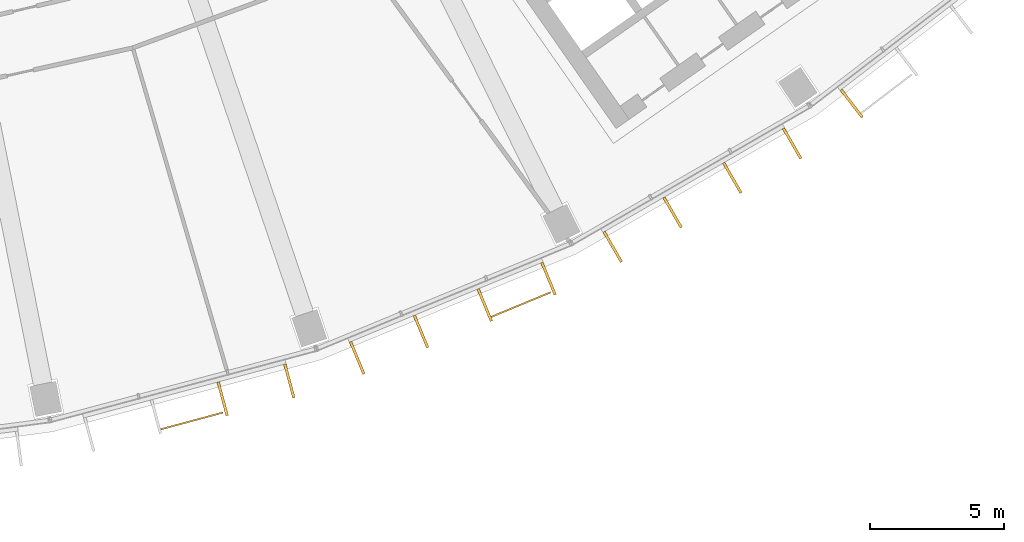
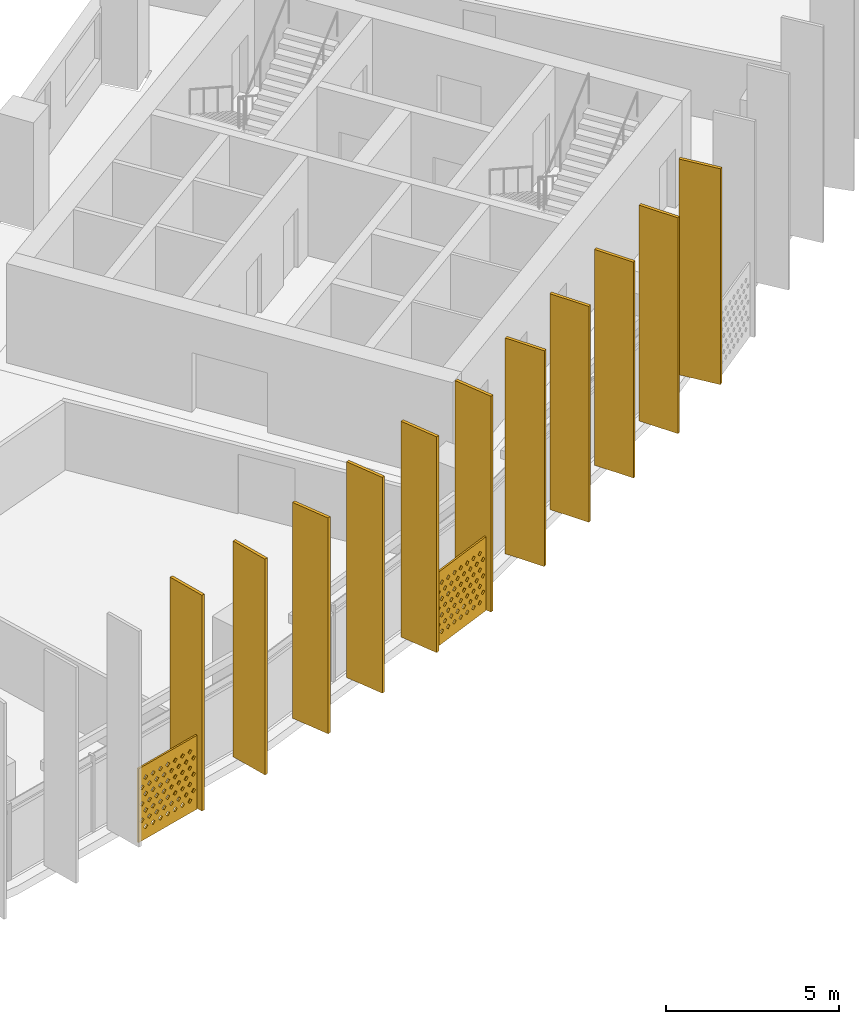
# One storey, part 26 of 30: 13 shading devices.
"""IFC4 building model written with IfcOpenShell, lengths in metres."""

from ifc_helpers import new_model, si_unit, direction, frame, origin, origin_2d, place, context, subcontext, project, spatial, polyline, rectangle, outline, extrude, material, material_profile, profile_set, type_object, element, save


model = new_model("IFC4")

# Units and contexts
model_context = context("Model", 3, precision=1e-05, world=origin(), true_north=direction((0.0, 1.0)))
body_context = subcontext(model_context, "Body", "Model", "MODEL_VIEW")
ifc_project = project(units=[si_unit("LENGTHUNIT", "METRE"), si_unit("AREAUNIT", "SQUARE_METRE"), si_unit("VOLUMEUNIT", "CUBIC_METRE"), si_unit("PLANEANGLEUNIT", "RADIAN"), si_unit("MASSUNIT", "GRAM", prefix="KILO")], contexts=[model_context])

# Site, building, storey
site_placement = place(None, origin())
site = spatial("IfcSite", under=ifc_project, at=site_placement, CompositionType="ELEMENT")
building_placement = place(site_placement, origin())
building = spatial("IfcBuilding", under=site, at=building_placement, Name="Qamariyya Broadcast Tower", CompositionType="ELEMENT")
storey_placement = place(building_placement, frame((0.0, 0.0, 203.699951171875)))
storey = spatial("IfcBuildingStorey", under=building, at=storey_placement, Name="L48", CompositionType="ELEMENT", Elevation=203.699951171875)

# Shading devices
ifc_material_1 = material(Name="Perforated glazed terracotta", Category="masonry")
ifc_material_profile_1 = material_profile(ifc_material_1, outline(polyline([(-1.199951171875, -1.300048828125), (1.199951171875, -1.300048828125), (1.199951171875, 1.300048828125), (-1.199951171875, 1.300048828125), (-1.199951171875, -1.300048828125)]), holes=[polyline([(-0.81494140625, -0.86669921875), (-0.89990234375, -0.78173828125), (-0.985107421875, -0.86669921875), (-0.89990234375, -0.95166015625), (-0.81494140625, -0.86669921875)]), polyline([(-0.514892578125, -0.86669921875), (-0.60009765625, -0.78173828125), (-0.68505859375, -0.86669921875), (-0.60009765625, -0.95166015625), (-0.514892578125, -0.86669921875)]), polyline([(-0.215087890625, -0.86669921875), (-0.300048828125, -0.78173828125), (-0.385009765625, -0.86669921875), (-0.300048828125, -0.95166015625), (-0.215087890625, -0.86669921875)]), polyline([(0.0849609375, -0.86669921875), (0.0, -0.78173828125), (-0.0849609375, -0.86669921875), (0.0, -0.95166015625), (0.0849609375, -0.86669921875)]), polyline([(0.385009765625, -0.86669921875), (0.300048828125, -0.78173828125), (0.215087890625, -0.86669921875), (0.300048828125, -0.95166015625), (0.385009765625, -0.86669921875)]), polyline([(0.68505859375, -0.86669921875), (0.60009765625, -0.78173828125), (0.514892578125, -0.86669921875), (0.60009765625, -0.95166015625), (0.68505859375, -0.86669921875)]), polyline([(0.985107421875, -0.86669921875), (0.89990234375, -0.78173828125), (0.81494140625, -0.86669921875), (0.89990234375, -0.95166015625), (0.985107421875, -0.86669921875)]), polyline([(-0.965087890625, -0.577880859375), (-1.050048828125, -0.49267578125), (-1.135009765625, -0.577880859375), (-1.050048828125, -0.662841796875), (-0.965087890625, -0.577880859375)]), polyline([(-0.6650390625, -0.577880859375), (-0.75, -0.49267578125), (-0.8349609375, -0.577880859375), (-0.75, -0.662841796875), (-0.6650390625, -0.577880859375)]), polyline([(-0.364990234375, -0.577880859375), (-0.449951171875, -0.49267578125), (-0.534912109375, -0.577880859375), (-0.449951171875, -0.662841796875), (-0.364990234375, -0.577880859375)]), polyline([(-0.06494140625, -0.577880859375), (-0.14990234375, -0.49267578125), (-0.235107421875, -0.577880859375), (-0.14990234375, -0.662841796875), (-0.06494140625, -0.577880859375)]), polyline([(0.235107421875, -0.577880859375), (0.14990234375, -0.49267578125), (0.06494140625, -0.577880859375), (0.14990234375, -0.662841796875), (0.235107421875, -0.577880859375)]), polyline([(0.534912109375, -0.577880859375), (0.449951171875, -0.49267578125), (0.364990234375, -0.577880859375), (0.449951171875, -0.662841796875), (0.534912109375, -0.577880859375)]), polyline([(0.8349609375, -0.577880859375), (0.75, -0.49267578125), (0.6650390625, -0.577880859375), (0.75, -0.662841796875), (0.8349609375, -0.577880859375)]), polyline([(1.135009765625, -0.577880859375), (1.050048828125, -0.49267578125), (0.965087890625, -0.577880859375), (1.050048828125, -0.662841796875), (1.135009765625, -0.577880859375)]), polyline([(-0.81494140625, -0.288818359375), (-0.89990234375, -0.203857421875), (-0.985107421875, -0.288818359375), (-0.89990234375, -0.373779296875), (-0.81494140625, -0.288818359375)]), polyline([(-0.514892578125, -0.288818359375), (-0.60009765625, -0.203857421875), (-0.68505859375, -0.288818359375), (-0.60009765625, -0.373779296875), (-0.514892578125, -0.288818359375)]), polyline([(-0.215087890625, -0.288818359375), (-0.300048828125, -0.203857421875), (-0.385009765625, -0.288818359375), (-0.300048828125, -0.373779296875), (-0.215087890625, -0.288818359375)]), polyline([(0.0849609375, -0.288818359375), (0.0, -0.203857421875), (-0.0849609375, -0.288818359375), (0.0, -0.373779296875), (0.0849609375, -0.288818359375)]), polyline([(0.385009765625, -0.288818359375), (0.300048828125, -0.203857421875), (0.215087890625, -0.288818359375), (0.300048828125, -0.373779296875), (0.385009765625, -0.288818359375)]), polyline([(0.68505859375, -0.288818359375), (0.60009765625, -0.203857421875), (0.514892578125, -0.288818359375), (0.60009765625, -0.373779296875), (0.68505859375, -0.288818359375)]), polyline([(0.985107421875, -0.288818359375), (0.89990234375, -0.203857421875), (0.81494140625, -0.288818359375), (0.89990234375, -0.373779296875), (0.985107421875, -0.288818359375)]), polyline([(-0.965087890625, 0.0), (-1.050048828125, 0.0849609375), (-1.135009765625, 0.0), (-1.050048828125, -0.0849609375), (-0.965087890625, 0.0)]), polyline([(-0.6650390625, 0.0), (-0.75, 0.0849609375), (-0.8349609375, 0.0), (-0.75, -0.0849609375), (-0.6650390625, 0.0)]), polyline([(-0.364990234375, 0.0), (-0.449951171875, 0.0849609375), (-0.534912109375, 0.0), (-0.449951171875, -0.0849609375), (-0.364990234375, 0.0)]), polyline([(-0.06494140625, 0.0), (-0.14990234375, 0.0849609375), (-0.235107421875, 0.0), (-0.14990234375, -0.0849609375), (-0.06494140625, 0.0)]), polyline([(0.235107421875, 0.0), (0.14990234375, 0.0849609375), (0.06494140625, 0.0), (0.14990234375, -0.0849609375), (0.235107421875, 0.0)]), polyline([(0.534912109375, 0.0), (0.449951171875, 0.0849609375), (0.364990234375, 0.0), (0.449951171875, -0.0849609375), (0.534912109375, 0.0)]), polyline([(0.8349609375, 0.0), (0.75, 0.0849609375), (0.6650390625, 0.0), (0.75, -0.0849609375), (0.8349609375, 0.0)]), polyline([(1.135009765625, 0.0), (1.050048828125, 0.0849609375), (0.965087890625, 0.0), (1.050048828125, -0.0849609375), (1.135009765625, 0.0)]), polyline([(-0.81494140625, 0.288818359375), (-0.89990234375, 0.373779296875), (-0.985107421875, 0.288818359375), (-0.89990234375, 0.203857421875), (-0.81494140625, 0.288818359375)]), polyline([(-0.514892578125, 0.288818359375), (-0.60009765625, 0.373779296875), (-0.68505859375, 0.288818359375), (-0.60009765625, 0.203857421875), (-0.514892578125, 0.288818359375)]), polyline([(-0.215087890625, 0.288818359375), (-0.300048828125, 0.373779296875), (-0.385009765625, 0.288818359375), (-0.300048828125, 0.203857421875), (-0.215087890625, 0.288818359375)]), polyline([(0.0849609375, 0.288818359375), (0.0, 0.373779296875), (-0.0849609375, 0.288818359375), (0.0, 0.203857421875), (0.0849609375, 0.288818359375)]), polyline([(0.385009765625, 0.288818359375), (0.300048828125, 0.373779296875), (0.215087890625, 0.288818359375), (0.300048828125, 0.203857421875), (0.385009765625, 0.288818359375)]), polyline([(0.68505859375, 0.288818359375), (0.60009765625, 0.373779296875), (0.514892578125, 0.288818359375), (0.60009765625, 0.203857421875), (0.68505859375, 0.288818359375)]), polyline([(0.985107421875, 0.288818359375), (0.89990234375, 0.373779296875), (0.81494140625, 0.288818359375), (0.89990234375, 0.203857421875), (0.985107421875, 0.288818359375)]), polyline([(-0.965087890625, 0.577880859375), (-1.050048828125, 0.662841796875), (-1.135009765625, 0.577880859375), (-1.050048828125, 0.49267578125), (-0.965087890625, 0.577880859375)]), polyline([(-0.6650390625, 0.577880859375), (-0.75, 0.662841796875), (-0.8349609375, 0.577880859375), (-0.75, 0.49267578125), (-0.6650390625, 0.577880859375)]), polyline([(-0.364990234375, 0.577880859375), (-0.449951171875, 0.662841796875), (-0.534912109375, 0.577880859375), (-0.449951171875, 0.49267578125), (-0.364990234375, 0.577880859375)]), polyline([(-0.06494140625, 0.577880859375), (-0.14990234375, 0.662841796875), (-0.235107421875, 0.577880859375), (-0.14990234375, 0.49267578125), (-0.06494140625, 0.577880859375)]), polyline([(0.235107421875, 0.577880859375), (0.14990234375, 0.662841796875), (0.06494140625, 0.577880859375), (0.14990234375, 0.49267578125), (0.235107421875, 0.577880859375)]), polyline([(0.534912109375, 0.577880859375), (0.449951171875, 0.662841796875), (0.364990234375, 0.577880859375), (0.449951171875, 0.49267578125), (0.534912109375, 0.577880859375)]), polyline([(0.8349609375, 0.577880859375), (0.75, 0.662841796875), (0.6650390625, 0.577880859375), (0.75, 0.49267578125), (0.8349609375, 0.577880859375)]), polyline([(1.135009765625, 0.577880859375), (1.050048828125, 0.662841796875), (0.965087890625, 0.577880859375), (1.050048828125, 0.49267578125), (1.135009765625, 0.577880859375)]), polyline([(-0.81494140625, 0.86669921875), (-0.89990234375, 0.95166015625), (-0.985107421875, 0.86669921875), (-0.89990234375, 0.78173828125), (-0.81494140625, 0.86669921875)]), polyline([(-0.514892578125, 0.86669921875), (-0.60009765625, 0.95166015625), (-0.68505859375, 0.86669921875), (-0.60009765625, 0.78173828125), (-0.514892578125, 0.86669921875)]), polyline([(-0.215087890625, 0.86669921875), (-0.300048828125, 0.95166015625), (-0.385009765625, 0.86669921875), (-0.300048828125, 0.78173828125), (-0.215087890625, 0.86669921875)]), polyline([(0.0849609375, 0.86669921875), (0.0, 0.95166015625), (-0.0849609375, 0.86669921875), (0.0, 0.78173828125), (0.0849609375, 0.86669921875)]), polyline([(0.385009765625, 0.86669921875), (0.300048828125, 0.95166015625), (0.215087890625, 0.86669921875), (0.300048828125, 0.78173828125), (0.385009765625, 0.86669921875)]), polyline([(0.68505859375, 0.86669921875), (0.60009765625, 0.95166015625), (0.514892578125, 0.86669921875), (0.60009765625, 0.78173828125), (0.68505859375, 0.86669921875)]), polyline([(0.985107421875, 0.86669921875), (0.89990234375, 0.95166015625), (0.81494140625, 0.86669921875), (0.89990234375, 0.78173828125), (0.985107421875, 0.86669921875)])]))
ifc_profile_set_1 = profile_set([ifc_material_profile_1], Name="Perforated glazed terracotta")
shading_device_type_1 = type_object("IfcShadingDeviceType", Name="Perforated terracotta screen 2400 x 2600", PredefinedType="USERDEFINED", material=ifc_profile_set_1)
shading_device_1_placement = place(storey_placement, frame((20.6064453125, -77.04345703125, 1.35009765625), z_axis=(0.260703819255, -0.965418830677, 0.0), x_axis=(0.965418830677, 0.260703819255, 0.0)))
element("IfcShadingDevice", 1, at=shading_device_1_placement, inside=storey, type_object=shading_device_type_1, Name="e-scr-L48-10-1", ObjectType="SCREEN", PredefinedType="USERDEFINED", context=body_context, shape_type="SweptSolid", body=[
    extrude(outline(polyline([(-1.199951171875, -1.300048828125), (1.199951171875, -1.300048828125), (1.199951171875, 1.300048828125), (-1.199951171875, 1.300048828125), (-1.199951171875, -1.300048828125)]), holes=[polyline([(-0.81494140625, -0.86669921875), (-0.89990234375, -0.78173828125), (-0.985107421875, -0.86669921875), (-0.89990234375, -0.95166015625), (-0.81494140625, -0.86669921875)]), polyline([(-0.514892578125, -0.86669921875), (-0.60009765625, -0.78173828125), (-0.68505859375, -0.86669921875), (-0.60009765625, -0.95166015625), (-0.514892578125, -0.86669921875)]), polyline([(-0.215087890625, -0.86669921875), (-0.300048828125, -0.78173828125), (-0.385009765625, -0.86669921875), (-0.300048828125, -0.95166015625), (-0.215087890625, -0.86669921875)]), polyline([(0.0849609375, -0.86669921875), (0.0, -0.78173828125), (-0.0849609375, -0.86669921875), (0.0, -0.95166015625), (0.0849609375, -0.86669921875)]), polyline([(0.385009765625, -0.86669921875), (0.300048828125, -0.78173828125), (0.215087890625, -0.86669921875), (0.300048828125, -0.95166015625), (0.385009765625, -0.86669921875)]), polyline([(0.68505859375, -0.86669921875), (0.60009765625, -0.78173828125), (0.514892578125, -0.86669921875), (0.60009765625, -0.95166015625), (0.68505859375, -0.86669921875)]), polyline([(0.985107421875, -0.86669921875), (0.89990234375, -0.78173828125), (0.81494140625, -0.86669921875), (0.89990234375, -0.95166015625), (0.985107421875, -0.86669921875)]), polyline([(-0.965087890625, -0.577880859375), (-1.050048828125, -0.49267578125), (-1.135009765625, -0.577880859375), (-1.050048828125, -0.662841796875), (-0.965087890625, -0.577880859375)]), polyline([(-0.6650390625, -0.577880859375), (-0.75, -0.49267578125), (-0.8349609375, -0.577880859375), (-0.75, -0.662841796875), (-0.6650390625, -0.577880859375)]), polyline([(-0.364990234375, -0.577880859375), (-0.449951171875, -0.49267578125), (-0.534912109375, -0.577880859375), (-0.449951171875, -0.662841796875), (-0.364990234375, -0.577880859375)]), polyline([(-0.06494140625, -0.577880859375), (-0.14990234375, -0.49267578125), (-0.235107421875, -0.577880859375), (-0.14990234375, -0.662841796875), (-0.06494140625, -0.577880859375)]), polyline([(0.235107421875, -0.577880859375), (0.14990234375, -0.49267578125), (0.06494140625, -0.577880859375), (0.14990234375, -0.662841796875), (0.235107421875, -0.577880859375)]), polyline([(0.534912109375, -0.577880859375), (0.449951171875, -0.49267578125), (0.364990234375, -0.577880859375), (0.449951171875, -0.662841796875), (0.534912109375, -0.577880859375)]), polyline([(0.8349609375, -0.577880859375), (0.75, -0.49267578125), (0.6650390625, -0.577880859375), (0.75, -0.662841796875), (0.8349609375, -0.577880859375)]), polyline([(1.135009765625, -0.577880859375), (1.050048828125, -0.49267578125), (0.965087890625, -0.577880859375), (1.050048828125, -0.662841796875), (1.135009765625, -0.577880859375)]), polyline([(-0.81494140625, -0.288818359375), (-0.89990234375, -0.203857421875), (-0.985107421875, -0.288818359375), (-0.89990234375, -0.373779296875), (-0.81494140625, -0.288818359375)]), polyline([(-0.514892578125, -0.288818359375), (-0.60009765625, -0.203857421875), (-0.68505859375, -0.288818359375), (-0.60009765625, -0.373779296875), (-0.514892578125, -0.288818359375)]), polyline([(-0.215087890625, -0.288818359375), (-0.300048828125, -0.203857421875), (-0.385009765625, -0.288818359375), (-0.300048828125, -0.373779296875), (-0.215087890625, -0.288818359375)]), polyline([(0.0849609375, -0.288818359375), (0.0, -0.203857421875), (-0.0849609375, -0.288818359375), (0.0, -0.373779296875), (0.0849609375, -0.288818359375)]), polyline([(0.385009765625, -0.288818359375), (0.300048828125, -0.203857421875), (0.215087890625, -0.288818359375), (0.300048828125, -0.373779296875), (0.385009765625, -0.288818359375)]), polyline([(0.68505859375, -0.288818359375), (0.60009765625, -0.203857421875), (0.514892578125, -0.288818359375), (0.60009765625, -0.373779296875), (0.68505859375, -0.288818359375)]), polyline([(0.985107421875, -0.288818359375), (0.89990234375, -0.203857421875), (0.81494140625, -0.288818359375), (0.89990234375, -0.373779296875), (0.985107421875, -0.288818359375)]), polyline([(-0.965087890625, 0.0), (-1.050048828125, 0.0849609375), (-1.135009765625, 0.0), (-1.050048828125, -0.0849609375), (-0.965087890625, 0.0)]), polyline([(-0.6650390625, 0.0), (-0.75, 0.0849609375), (-0.8349609375, 0.0), (-0.75, -0.0849609375), (-0.6650390625, 0.0)]), polyline([(-0.364990234375, 0.0), (-0.449951171875, 0.0849609375), (-0.534912109375, 0.0), (-0.449951171875, -0.0849609375), (-0.364990234375, 0.0)]), polyline([(-0.06494140625, 0.0), (-0.14990234375, 0.0849609375), (-0.235107421875, 0.0), (-0.14990234375, -0.0849609375), (-0.06494140625, 0.0)]), polyline([(0.235107421875, 0.0), (0.14990234375, 0.0849609375), (0.06494140625, 0.0), (0.14990234375, -0.0849609375), (0.235107421875, 0.0)]), polyline([(0.534912109375, 0.0), (0.449951171875, 0.0849609375), (0.364990234375, 0.0), (0.449951171875, -0.0849609375), (0.534912109375, 0.0)]), polyline([(0.8349609375, 0.0), (0.75, 0.0849609375), (0.6650390625, 0.0), (0.75, -0.0849609375), (0.8349609375, 0.0)]), polyline([(1.135009765625, 0.0), (1.050048828125, 0.0849609375), (0.965087890625, 0.0), (1.050048828125, -0.0849609375), (1.135009765625, 0.0)]), polyline([(-0.81494140625, 0.288818359375), (-0.89990234375, 0.373779296875), (-0.985107421875, 0.288818359375), (-0.89990234375, 0.203857421875), (-0.81494140625, 0.288818359375)]), polyline([(-0.514892578125, 0.288818359375), (-0.60009765625, 0.373779296875), (-0.68505859375, 0.288818359375), (-0.60009765625, 0.203857421875), (-0.514892578125, 0.288818359375)]), polyline([(-0.215087890625, 0.288818359375), (-0.300048828125, 0.373779296875), (-0.385009765625, 0.288818359375), (-0.300048828125, 0.203857421875), (-0.215087890625, 0.288818359375)]), polyline([(0.0849609375, 0.288818359375), (0.0, 0.373779296875), (-0.0849609375, 0.288818359375), (0.0, 0.203857421875), (0.0849609375, 0.288818359375)]), polyline([(0.385009765625, 0.288818359375), (0.300048828125, 0.373779296875), (0.215087890625, 0.288818359375), (0.300048828125, 0.203857421875), (0.385009765625, 0.288818359375)]), polyline([(0.68505859375, 0.288818359375), (0.60009765625, 0.373779296875), (0.514892578125, 0.288818359375), (0.60009765625, 0.203857421875), (0.68505859375, 0.288818359375)]), polyline([(0.985107421875, 0.288818359375), (0.89990234375, 0.373779296875), (0.81494140625, 0.288818359375), (0.89990234375, 0.203857421875), (0.985107421875, 0.288818359375)]), polyline([(-0.965087890625, 0.577880859375), (-1.050048828125, 0.662841796875), (-1.135009765625, 0.577880859375), (-1.050048828125, 0.49267578125), (-0.965087890625, 0.577880859375)]), polyline([(-0.6650390625, 0.577880859375), (-0.75, 0.662841796875), (-0.8349609375, 0.577880859375), (-0.75, 0.49267578125), (-0.6650390625, 0.577880859375)]), polyline([(-0.364990234375, 0.577880859375), (-0.449951171875, 0.662841796875), (-0.534912109375, 0.577880859375), (-0.449951171875, 0.49267578125), (-0.364990234375, 0.577880859375)]), polyline([(-0.06494140625, 0.577880859375), (-0.14990234375, 0.662841796875), (-0.235107421875, 0.577880859375), (-0.14990234375, 0.49267578125), (-0.06494140625, 0.577880859375)]), polyline([(0.235107421875, 0.577880859375), (0.14990234375, 0.662841796875), (0.06494140625, 0.577880859375), (0.14990234375, 0.49267578125), (0.235107421875, 0.577880859375)]), polyline([(0.534912109375, 0.577880859375), (0.449951171875, 0.662841796875), (0.364990234375, 0.577880859375), (0.449951171875, 0.49267578125), (0.534912109375, 0.577880859375)]), polyline([(0.8349609375, 0.577880859375), (0.75, 0.662841796875), (0.6650390625, 0.577880859375), (0.75, 0.49267578125), (0.8349609375, 0.577880859375)]), polyline([(1.135009765625, 0.577880859375), (1.050048828125, 0.662841796875), (0.965087890625, 0.577880859375), (1.050048828125, 0.49267578125), (1.135009765625, 0.577880859375)]), polyline([(-0.81494140625, 0.86669921875), (-0.89990234375, 0.95166015625), (-0.985107421875, 0.86669921875), (-0.89990234375, 0.78173828125), (-0.81494140625, 0.86669921875)]), polyline([(-0.514892578125, 0.86669921875), (-0.60009765625, 0.95166015625), (-0.68505859375, 0.86669921875), (-0.60009765625, 0.78173828125), (-0.514892578125, 0.86669921875)]), polyline([(-0.215087890625, 0.86669921875), (-0.300048828125, 0.95166015625), (-0.385009765625, 0.86669921875), (-0.300048828125, 0.78173828125), (-0.215087890625, 0.86669921875)]), polyline([(0.0849609375, 0.86669921875), (0.0, 0.95166015625), (-0.0849609375, 0.86669921875), (0.0, 0.78173828125), (0.0849609375, 0.86669921875)]), polyline([(0.385009765625, 0.86669921875), (0.300048828125, 0.95166015625), (0.215087890625, 0.86669921875), (0.300048828125, 0.78173828125), (0.385009765625, 0.86669921875)]), polyline([(0.68505859375, 0.86669921875), (0.60009765625, 0.95166015625), (0.514892578125, 0.86669921875), (0.60009765625, 0.78173828125), (0.68505859375, 0.86669921875)]), polyline([(0.985107421875, 0.86669921875), (0.89990234375, 0.95166015625), (0.81494140625, 0.86669921875), (0.89990234375, 0.78173828125), (0.985107421875, 0.86669921875)])]), origin(), (0.0, 0.0, 1.0), 0.059814453125),
])
shading_device_2_placement = place(storey_placement, frame((32.862548828125, -72.71044921875, 1.35009765625), z_axis=(0.382591441855, -0.923917630863, 0.0), x_axis=(0.923917630863, 0.382591441855, 0.0)))
element("IfcShadingDevice", 2, at=shading_device_2_placement, inside=storey, type_object=shading_device_type_1, Name="e-scr-L48-11-2", ObjectType="SCREEN", PredefinedType="USERDEFINED", context=body_context, shape_type="SweptSolid", body=[
    extrude(outline(polyline([(-1.199951171875, -1.300048828125), (1.199951171875, -1.300048828125), (1.199951171875, 1.300048828125), (-1.199951171875, 1.300048828125), (-1.199951171875, -1.300048828125)]), holes=[polyline([(-0.81494140625, -0.86669921875), (-0.89990234375, -0.78173828125), (-0.985107421875, -0.86669921875), (-0.89990234375, -0.95166015625), (-0.81494140625, -0.86669921875)]), polyline([(-0.514892578125, -0.86669921875), (-0.60009765625, -0.78173828125), (-0.68505859375, -0.86669921875), (-0.60009765625, -0.95166015625), (-0.514892578125, -0.86669921875)]), polyline([(-0.215087890625, -0.86669921875), (-0.300048828125, -0.78173828125), (-0.385009765625, -0.86669921875), (-0.300048828125, -0.95166015625), (-0.215087890625, -0.86669921875)]), polyline([(0.0849609375, -0.86669921875), (0.0, -0.78173828125), (-0.0849609375, -0.86669921875), (0.0, -0.95166015625), (0.0849609375, -0.86669921875)]), polyline([(0.385009765625, -0.86669921875), (0.300048828125, -0.78173828125), (0.215087890625, -0.86669921875), (0.300048828125, -0.95166015625), (0.385009765625, -0.86669921875)]), polyline([(0.68505859375, -0.86669921875), (0.60009765625, -0.78173828125), (0.514892578125, -0.86669921875), (0.60009765625, -0.95166015625), (0.68505859375, -0.86669921875)]), polyline([(0.985107421875, -0.86669921875), (0.89990234375, -0.78173828125), (0.81494140625, -0.86669921875), (0.89990234375, -0.95166015625), (0.985107421875, -0.86669921875)]), polyline([(-0.965087890625, -0.577880859375), (-1.050048828125, -0.49267578125), (-1.135009765625, -0.577880859375), (-1.050048828125, -0.662841796875), (-0.965087890625, -0.577880859375)]), polyline([(-0.6650390625, -0.577880859375), (-0.75, -0.49267578125), (-0.8349609375, -0.577880859375), (-0.75, -0.662841796875), (-0.6650390625, -0.577880859375)]), polyline([(-0.364990234375, -0.577880859375), (-0.449951171875, -0.49267578125), (-0.534912109375, -0.577880859375), (-0.449951171875, -0.662841796875), (-0.364990234375, -0.577880859375)]), polyline([(-0.06494140625, -0.577880859375), (-0.14990234375, -0.49267578125), (-0.235107421875, -0.577880859375), (-0.14990234375, -0.662841796875), (-0.06494140625, -0.577880859375)]), polyline([(0.235107421875, -0.577880859375), (0.14990234375, -0.49267578125), (0.06494140625, -0.577880859375), (0.14990234375, -0.662841796875), (0.235107421875, -0.577880859375)]), polyline([(0.534912109375, -0.577880859375), (0.449951171875, -0.49267578125), (0.364990234375, -0.577880859375), (0.449951171875, -0.662841796875), (0.534912109375, -0.577880859375)]), polyline([(0.8349609375, -0.577880859375), (0.75, -0.49267578125), (0.6650390625, -0.577880859375), (0.75, -0.662841796875), (0.8349609375, -0.577880859375)]), polyline([(1.135009765625, -0.577880859375), (1.050048828125, -0.49267578125), (0.965087890625, -0.577880859375), (1.050048828125, -0.662841796875), (1.135009765625, -0.577880859375)]), polyline([(-0.81494140625, -0.288818359375), (-0.89990234375, -0.203857421875), (-0.985107421875, -0.288818359375), (-0.89990234375, -0.373779296875), (-0.81494140625, -0.288818359375)]), polyline([(-0.514892578125, -0.288818359375), (-0.60009765625, -0.203857421875), (-0.68505859375, -0.288818359375), (-0.60009765625, -0.373779296875), (-0.514892578125, -0.288818359375)]), polyline([(-0.215087890625, -0.288818359375), (-0.300048828125, -0.203857421875), (-0.385009765625, -0.288818359375), (-0.300048828125, -0.373779296875), (-0.215087890625, -0.288818359375)]), polyline([(0.0849609375, -0.288818359375), (0.0, -0.203857421875), (-0.0849609375, -0.288818359375), (0.0, -0.373779296875), (0.0849609375, -0.288818359375)]), polyline([(0.385009765625, -0.288818359375), (0.300048828125, -0.203857421875), (0.215087890625, -0.288818359375), (0.300048828125, -0.373779296875), (0.385009765625, -0.288818359375)]), polyline([(0.68505859375, -0.288818359375), (0.60009765625, -0.203857421875), (0.514892578125, -0.288818359375), (0.60009765625, -0.373779296875), (0.68505859375, -0.288818359375)]), polyline([(0.985107421875, -0.288818359375), (0.89990234375, -0.203857421875), (0.81494140625, -0.288818359375), (0.89990234375, -0.373779296875), (0.985107421875, -0.288818359375)]), polyline([(-0.965087890625, 0.0), (-1.050048828125, 0.0849609375), (-1.135009765625, 0.0), (-1.050048828125, -0.0849609375), (-0.965087890625, 0.0)]), polyline([(-0.6650390625, 0.0), (-0.75, 0.0849609375), (-0.8349609375, 0.0), (-0.75, -0.0849609375), (-0.6650390625, 0.0)]), polyline([(-0.364990234375, 0.0), (-0.449951171875, 0.0849609375), (-0.534912109375, 0.0), (-0.449951171875, -0.0849609375), (-0.364990234375, 0.0)]), polyline([(-0.06494140625, 0.0), (-0.14990234375, 0.0849609375), (-0.235107421875, 0.0), (-0.14990234375, -0.0849609375), (-0.06494140625, 0.0)]), polyline([(0.235107421875, 0.0), (0.14990234375, 0.0849609375), (0.06494140625, 0.0), (0.14990234375, -0.0849609375), (0.235107421875, 0.0)]), polyline([(0.534912109375, 0.0), (0.449951171875, 0.0849609375), (0.364990234375, 0.0), (0.449951171875, -0.0849609375), (0.534912109375, 0.0)]), polyline([(0.8349609375, 0.0), (0.75, 0.0849609375), (0.6650390625, 0.0), (0.75, -0.0849609375), (0.8349609375, 0.0)]), polyline([(1.135009765625, 0.0), (1.050048828125, 0.0849609375), (0.965087890625, 0.0), (1.050048828125, -0.0849609375), (1.135009765625, 0.0)]), polyline([(-0.81494140625, 0.288818359375), (-0.89990234375, 0.373779296875), (-0.985107421875, 0.288818359375), (-0.89990234375, 0.203857421875), (-0.81494140625, 0.288818359375)]), polyline([(-0.514892578125, 0.288818359375), (-0.60009765625, 0.373779296875), (-0.68505859375, 0.288818359375), (-0.60009765625, 0.203857421875), (-0.514892578125, 0.288818359375)]), polyline([(-0.215087890625, 0.288818359375), (-0.300048828125, 0.373779296875), (-0.385009765625, 0.288818359375), (-0.300048828125, 0.203857421875), (-0.215087890625, 0.288818359375)]), polyline([(0.0849609375, 0.288818359375), (0.0, 0.373779296875), (-0.0849609375, 0.288818359375), (0.0, 0.203857421875), (0.0849609375, 0.288818359375)]), polyline([(0.385009765625, 0.288818359375), (0.300048828125, 0.373779296875), (0.215087890625, 0.288818359375), (0.300048828125, 0.203857421875), (0.385009765625, 0.288818359375)]), polyline([(0.68505859375, 0.288818359375), (0.60009765625, 0.373779296875), (0.514892578125, 0.288818359375), (0.60009765625, 0.203857421875), (0.68505859375, 0.288818359375)]), polyline([(0.985107421875, 0.288818359375), (0.89990234375, 0.373779296875), (0.81494140625, 0.288818359375), (0.89990234375, 0.203857421875), (0.985107421875, 0.288818359375)]), polyline([(-0.965087890625, 0.577880859375), (-1.050048828125, 0.662841796875), (-1.135009765625, 0.577880859375), (-1.050048828125, 0.49267578125), (-0.965087890625, 0.577880859375)]), polyline([(-0.6650390625, 0.577880859375), (-0.75, 0.662841796875), (-0.8349609375, 0.577880859375), (-0.75, 0.49267578125), (-0.6650390625, 0.577880859375)]), polyline([(-0.364990234375, 0.577880859375), (-0.449951171875, 0.662841796875), (-0.534912109375, 0.577880859375), (-0.449951171875, 0.49267578125), (-0.364990234375, 0.577880859375)]), polyline([(-0.06494140625, 0.577880859375), (-0.14990234375, 0.662841796875), (-0.235107421875, 0.577880859375), (-0.14990234375, 0.49267578125), (-0.06494140625, 0.577880859375)]), polyline([(0.235107421875, 0.577880859375), (0.14990234375, 0.662841796875), (0.06494140625, 0.577880859375), (0.14990234375, 0.49267578125), (0.235107421875, 0.577880859375)]), polyline([(0.534912109375, 0.577880859375), (0.449951171875, 0.662841796875), (0.364990234375, 0.577880859375), (0.449951171875, 0.49267578125), (0.534912109375, 0.577880859375)]), polyline([(0.8349609375, 0.577880859375), (0.75, 0.662841796875), (0.6650390625, 0.577880859375), (0.75, 0.49267578125), (0.8349609375, 0.577880859375)]), polyline([(1.135009765625, 0.577880859375), (1.050048828125, 0.662841796875), (0.965087890625, 0.577880859375), (1.050048828125, 0.49267578125), (1.135009765625, 0.577880859375)]), polyline([(-0.81494140625, 0.86669921875), (-0.89990234375, 0.95166015625), (-0.985107421875, 0.86669921875), (-0.89990234375, 0.78173828125), (-0.81494140625, 0.86669921875)]), polyline([(-0.514892578125, 0.86669921875), (-0.60009765625, 0.95166015625), (-0.68505859375, 0.86669921875), (-0.60009765625, 0.78173828125), (-0.514892578125, 0.86669921875)]), polyline([(-0.215087890625, 0.86669921875), (-0.300048828125, 0.95166015625), (-0.385009765625, 0.86669921875), (-0.300048828125, 0.78173828125), (-0.215087890625, 0.86669921875)]), polyline([(0.0849609375, 0.86669921875), (0.0, 0.95166015625), (-0.0849609375, 0.86669921875), (0.0, 0.78173828125), (0.0849609375, 0.86669921875)]), polyline([(0.385009765625, 0.86669921875), (0.300048828125, 0.95166015625), (0.215087890625, 0.86669921875), (0.300048828125, 0.78173828125), (0.385009765625, 0.86669921875)]), polyline([(0.68505859375, 0.86669921875), (0.60009765625, 0.95166015625), (0.514892578125, 0.86669921875), (0.60009765625, 0.78173828125), (0.68505859375, 0.86669921875)]), polyline([(0.985107421875, 0.86669921875), (0.89990234375, 0.95166015625), (0.81494140625, 0.86669921875), (0.89990234375, 0.78173828125), (0.985107421875, 0.86669921875)])]), origin(), (0.0, 0.0, 1.0), 0.06005859375),
])
ifc_material_2 = material(Name="Glazed terracotta", Category="masonry")
ifc_material_profile_2 = material_profile(ifc_material_2, rectangle(XDim=1.300048828125, YDim=0.10009765625, at=origin_2d()))
ifc_profile_set_2 = profile_set([ifc_material_profile_2], Name="Glazed terracotta")
shading_device_type_2 = type_object("IfcShadingDeviceType", Name="Terracotta fin 100 x 1300", PredefinedType="USERDEFINED", material=ifc_profile_set_2)
for number, where, z_axis, x_axis, name in (
    (3, (21.76171875, -76.247314453125, 0.0), (0.0, 0.0, 1.0), (0.258819045103, -0.965925826289, 0.0), "e-fin-L48-10-2"),
    (4, (24.24609375, -75.58154296875, 0.0), (0.0, 0.0, 1.0), (0.258819045103, -0.965925826289, 0.0), "e-fin-L48-10-3"),
    (5, (26.775390625, -74.72314453125, 0.0), (0.0, 0.0, 1.0), (0.382683432365, -0.923879532511, 0.0), "e-fin-L48-11-0"),
    (6, (29.151611328125, -73.73876953125, 0.0), (0.0, 0.0, 1.0), (0.382683432365, -0.923879532511, 0.0), "e-fin-L48-11-1"),
    (7, (31.52783203125, -72.754638671875, 0.0), (0.0, 0.0, 1.0), (0.382683432365, -0.923879532511, 0.0), "e-fin-L48-11-2"),
    (8, (33.904052734375, -71.770263671875, 0.0), (0.0, 0.0, 1.0), (0.382683432365, -0.923879532511, 0.0), "e-fin-L48-11-3"),
    (9, (36.2998046875, -70.5888671875, 0.0), (0.0, 0.0, 1.0), (0.5, -0.866025403784, 0.0), "e-fin-L48-12-0"),
    (10, (38.527099609375, -69.302978515625, 0.0), (0.0, 0.0, 1.0), (0.5, -0.866025403784, 0.0), "e-fin-L48-12-1"),
    (11, (40.75439453125, -68.016845703125, 0.0), (0.0, 0.0, 1.0), (0.5, -0.866025403784, 0.0), "e-fin-L48-12-2"),
    (12, (42.98193359375, -66.73095703125, 0.0), (0.0, 0.0, 1.0), (0.5, -0.866025403784, 0.0), "e-fin-L48-12-3"),
    (13, (45.202880859375, -65.246826171875, 0.0), (0.0, 0.0, 1.0), (0.608761429009, -0.793353340291, 0.0), "e-fin-L48-13-0"),
):
    element("IfcShadingDevice", number, at=place(storey_placement, frame(where, z_axis=z_axis, x_axis=x_axis)), inside=storey, type_object=shading_device_type_2, Name=name, ObjectType="FIN", PredefinedType="USERDEFINED", context=body_context, shape_type="SweptSolid", body=[
        extrude(rectangle(XDim=1.300048828125, YDim=0.10009765625, at=origin_2d()), origin(), (0.0, 0.0, 1.0), 7.60009765625),
    ])

save(model, "model.ifc")
